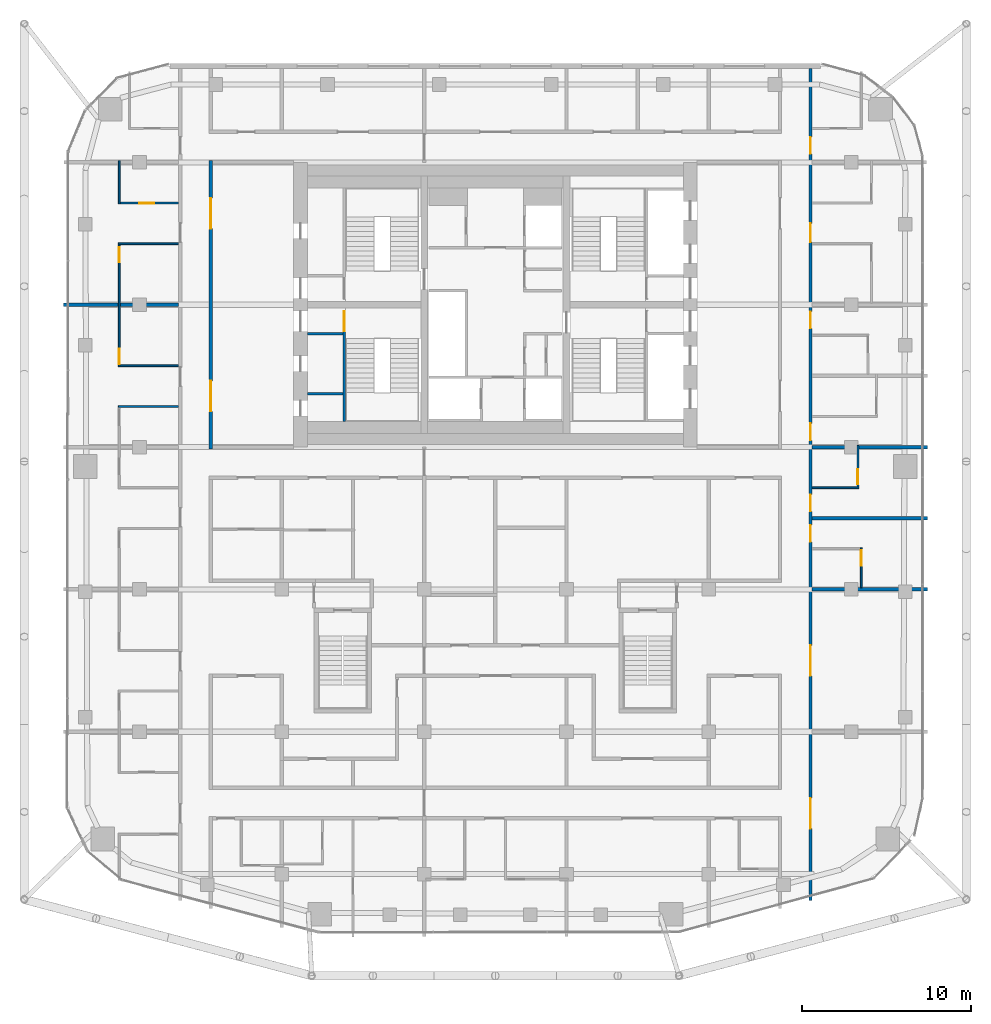
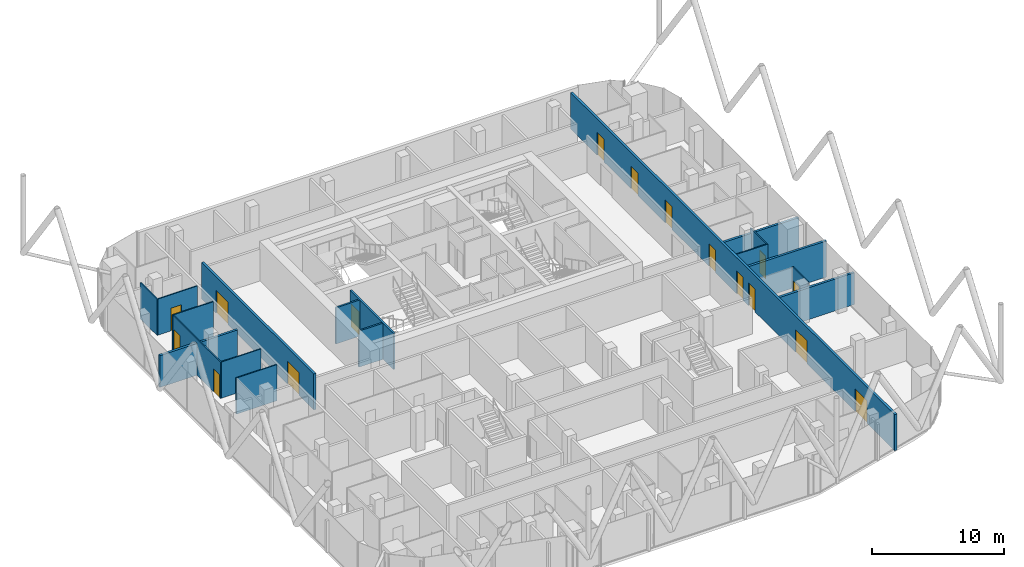
# One storey, part 23 of 28: 18 walls, 16 doors, 16 openings.
"""IFC4 building model written with IfcOpenShell, lengths in metres."""

from ifc_helpers import new_model, si_unit, direction, frame, frame_2d, origin, place, context, subcontext, project, spatial, rectangle, extrude, material, layer, layer_set, type_object, element, fill, save


model = new_model("IFC4")

# Units and contexts
model_context = context("Model", 3, precision=1e-05, world=origin(), true_north=direction((0.0, 1.0)))
body_context = subcontext(model_context, "Body", "Model", "MODEL_VIEW")
ifc_project = project(units=[si_unit("LENGTHUNIT", "METRE"), si_unit("AREAUNIT", "SQUARE_METRE"), si_unit("VOLUMEUNIT", "CUBIC_METRE"), si_unit("PLANEANGLEUNIT", "RADIAN"), si_unit("MASSUNIT", "GRAM", prefix="KILO")], contexts=[model_context])

# Site, building, storey
site_placement = place(None, origin())
site = spatial("IfcSite", under=ifc_project, at=site_placement, CompositionType="ELEMENT")
building_placement = place(site_placement, origin())
building = spatial("IfcBuilding", under=site, at=building_placement, Name="Marenta Gate Hotel Tower", CompositionType="ELEMENT")
storey_placement = place(building_placement, frame((0.0, 0.0, 241.699951171875)))
storey = spatial("IfcBuildingStorey", under=building, at=storey_placement, Name="L57", CompositionType="ELEMENT", Elevation=241.699951171875)

# Wall, openings, doors
ifc_material_1 = material(Name="Concrete blockwork", Category="masonry")
ifc_layer_1 = layer(ifc_material_1, 0.199951171875)
ifc_layer_set_1 = layer_set([ifc_layer_1], Name="Concrete blockwork")
wall_type_1 = type_object("IfcWallType", Name="Core boundary wall 200 REI 180", PredefinedType="PARTITIONING", material=ifc_layer_set_1)
wall_1_placement = place(storey_placement, frame((-16.800048828125, -0.10009765625, 0.0), z_axis=(0.0, 0.0, 1.0), x_axis=(0.0, 1.0, 0.0)))
wall_1 = element("IfcWall", 1, at=wall_1_placement, inside=storey, type_object=wall_type_1, Name="L57-CP-BW-W", PredefinedType="PARTITIONING", context=body_context, shape_type="SweptSolid", body=[
    extrude(rectangle(XDim=17.0, YDim=0.199951171875, at=frame_2d((8.5, 0.0))), origin(), (0.0, 0.0, 1.0), 3.340087890625),
])
opening_1_placement = place(wall_1_placement, frame((2.199951171875, 0.0, 0.0)))
opening_1 = element("IfcOpeningElement", 2, at=opening_1_placement, cuts=wall_1, Name="Opening ED-Wa-B", PredefinedType="OPENING", context=body_context, shape_type="SweptSolid", body=[
    extrude(rectangle(XDim=1.800048828125, YDim=2.10009765625, at=frame_2d((0.89990234375, 1.050048828125))), frame((0.0, 0.10009765625, 0.0), z_axis=(0.0, -1.0, 0.0), x_axis=(1.0, 0.0, 0.0)), (0.0, 0.0, 1.0), 0.199951171875),
])
opening_2_placement = place(wall_1_placement, frame((13.0, 0.0, 0.0)))
opening_2 = element("IfcOpeningElement", 3, at=opening_2_placement, cuts=wall_1, Name="Opening ED-Wb-B", PredefinedType="OPENING", context=body_context, shape_type="SweptSolid", body=[
    extrude(rectangle(XDim=1.800048828125, YDim=2.10009765625, at=frame_2d((0.89990234375, 1.050048828125))), frame((0.0, 0.10009765625, 0.0), z_axis=(0.0, -1.0, 0.0), x_axis=(1.0, 0.0, 0.0)), (0.0, 0.0, 1.0), 0.199951171875),
])
ifc_material_2 = material(Name="Steel", Category="steel")
door_type_1 = type_object("IfcDoorType", Name="Core lobby entrance door 1800x2100 EI 60", OperationType="DOUBLE_DOOR_SINGLE_SWING", PredefinedType="DOOR", material=ifc_material_2)
door_1_placement = place(opening_1_placement, origin())
door_1 = element("IfcDoor", 4, at=door_1_placement, inside=storey, type_object=door_type_1, Name="ED-Wa-B", OperationType="DOUBLE_DOOR_SINGLE_SWING", OverallHeight=2.10009765625, OverallWidth=1.800048828125, PredefinedType="DOOR", context=body_context, shape_type="SweptSolid", body=[
    extrude(rectangle(XDim=1.800048828125, YDim=2.10009765625, at=frame_2d((0.89990234375, 1.050048828125))), frame((0.0, 0.02490234375, 0.0), z_axis=(0.0, -1.0, 0.0), x_axis=(1.0, 0.0, 0.0)), (0.0, 0.0, 1.0), 0.050048828125),
])
fill(opening_1, door_1)
door_2_placement = place(opening_2_placement, origin())
door_2 = element("IfcDoor", 5, at=door_2_placement, inside=storey, type_object=door_type_1, Name="ED-Wb-B", OperationType="DOUBLE_DOOR_SINGLE_SWING", OverallHeight=2.10009765625, OverallWidth=1.800048828125, PredefinedType="DOOR", context=body_context, shape_type="SweptSolid", body=[
    extrude(rectangle(XDim=1.800048828125, YDim=2.10009765625, at=frame_2d((0.89990234375, 1.050048828125))), frame((0.0, 0.02490234375, 0.0), z_axis=(0.0, -1.0, 0.0), x_axis=(1.0, 0.0, 0.0)), (0.0, 0.0, 1.0), 0.050048828125),
])
fill(opening_2, door_2)

# Walls
ifc_material_3 = material(Name="Concrete blockwork", Category="masonry")
ifc_layer_2 = layer(ifc_material_3, 0.14990234375)
ifc_layer_set_2 = layer_set([ifc_layer_2], Name="Concrete blockwork")
wall_type_2 = type_object("IfcWallType", Name="Core room partition 150 REI 180", PredefinedType="PARTITIONING", material=ifc_layer_set_2)
for number, where, z_axis, x_axis, name in (
    (6, (-11.10009765625, 6.675048828125, 0.0), (0.0, 0.0, 1.0), (1.0, 0.0, 0.0), "L57-CP-SW-WS-2"),
    (7, (-11.10009765625, 3.14990234375, 0.0), (0.0, 0.0, 1.0), (1.0, 0.0, 0.0), "L57-CP-RW-WS-1"),
):
    element("IfcWall", number, at=place(storey_placement, frame(where, z_axis=z_axis, x_axis=x_axis)), inside=storey, type_object=wall_type_2, Name=name, PredefinedType="PARTITIONING", context=body_context, shape_type="SweptSolid", body=[
        extrude(rectangle(XDim=2.10009765625, YDim=0.14990234375, at=frame_2d((1.050048828125, 0.0))), origin(), (0.0, 0.0, 1.0), 3.340087890625),
    ])

# Wall, opening, door
ifc_material_4 = material(Name="Concrete C40", Category="concrete")
ifc_layer_3 = layer(ifc_material_4, 0.14990234375)
ifc_layer_set_3 = layer_set([ifc_layer_3], Name="Concrete C40")
wall_type_3 = type_object("IfcWallType", Name="Core stair enclosure wall 150 REI 180", PredefinedType="SHEAR", material=ifc_layer_set_3)
wall_2_placement = place(storey_placement, frame((-8.925048828125, 1.5, 0.0), z_axis=(0.0, 0.0, 1.0), x_axis=(0.0, 1.0, 0.0)))
wall_2 = element("IfcWall", 8, at=wall_2_placement, inside=storey, type_object=wall_type_3, Name="L57-SHF-SW-WS-3", PredefinedType="SHEAR", context=body_context, shape_type="SweptSolid", body=[
    extrude(rectangle(XDim=6.60009765625, YDim=0.14990234375, at=frame_2d((3.300048828125, 0.0))), origin(), (0.0, 0.0, 1.0), 3.340087890625),
])
opening_3_placement = place(wall_2_placement, frame((5.324951171875, 0.0, 0.0)))
opening_3 = element("IfcOpeningElement", 9, at=opening_3_placement, cuts=wall_2, Name="Opening SD-WS", PredefinedType="OPENING", context=body_context, shape_type="SweptSolid", body=[
    extrude(rectangle(XDim=1.199951171875, YDim=2.10009765625, at=frame_2d((0.60009765625, 1.050048828125))), frame((0.0, 0.074951171875, 0.0), z_axis=(0.0, -1.0, 0.0), x_axis=(1.0, 0.0, 0.0)), (0.0, 0.0, 1.0), 0.14990234375),
])
ifc_material_5 = material(Name="Steel", Category="steel")
door_type_2 = type_object("IfcDoorType", Name="Core stair door 1200x2100 FD60", OperationType="SINGLE_SWING_LEFT", PredefinedType="DOOR", material=ifc_material_5)
door_3_placement = place(opening_3_placement, origin())
door_3 = element("IfcDoor", 10, at=door_3_placement, inside=storey, type_object=door_type_2, Name="SD-WS", OperationType="SINGLE_SWING_LEFT", OverallHeight=2.10009765625, OverallWidth=1.199951171875, PredefinedType="DOOR", context=body_context, shape_type="SweptSolid", body=[
    extrude(rectangle(XDim=1.199951171875, YDim=2.10009765625, at=frame_2d((0.60009765625, 1.050048828125))), frame((0.0, 0.02490234375, 0.0), z_axis=(0.0, -1.0, 0.0), x_axis=(1.0, 0.0, 0.0)), (0.0, 0.0, 1.0), 0.050048828125),
])
fill(opening_3, door_3)

# Wall, openings, doors
ifc_material_6 = material(Name="Gypsum board on steel stud", Category="steel")
ifc_layer_4 = layer(ifc_material_6, 0.199951171875)
ifc_layer_set_4 = layer_set([ifc_layer_4], Name="Gypsum board on steel stud")
wall_type_4 = type_object("IfcWallType", Name="Room corridor wall 200 EI 60", PredefinedType="PARTITIONING", material=ifc_layer_set_4)
wall_3_placement = place(storey_placement, frame((18.60009765625, -26.7509765625, 0.0), z_axis=(0.0, 0.0, 1.0), x_axis=(0.0, 1.0, 0.0)))
wall_3 = element("IfcWall", 11, at=wall_3_placement, inside=storey, type_object=wall_type_4, Name="L57-PTN-W017", PredefinedType="PARTITIONING", context=body_context, shape_type="SweptSolid", body=[
    extrude(rectangle(XDim=49.091064453125, YDim=0.199951171875, at=frame_2d((24.54541015625, 0.0))), origin(), (0.0, 0.0, 1.0), 3.340087890625),
])
opening_4_placement = place(wall_3_placement, frame((4.22607421875, 0.0, 0.0)))
opening_4 = element("IfcOpeningElement", 12, at=opening_4_placement, cuts=wall_3, Name="Opening G21-14", PredefinedType="OPENING", context=body_context, shape_type="SweptSolid", body=[
    extrude(rectangle(XDim=1.800048828125, YDim=2.10009765625, at=frame_2d((0.89990234375, 1.050048828125))), frame((0.0, 0.10009765625, 0.0), z_axis=(0.0, -1.0, 0.0), x_axis=(1.0, 0.0, 0.0)), (0.0, 0.0, 1.0), 0.199951171875),
])
opening_5_placement = place(wall_3_placement, frame((13.2509765625, 0.0, 0.0)))
opening_5 = element("IfcOpeningElement", 13, at=opening_5_placement, cuts=wall_3, Name="Opening G21-15", PredefinedType="OPENING", context=body_context, shape_type="SweptSolid", body=[
    extrude(rectangle(XDim=1.800048828125, YDim=2.10009765625, at=frame_2d((0.89990234375, 1.050048828125))), frame((0.0, 0.10009765625, 0.0), z_axis=(0.0, -1.0, 0.0), x_axis=(1.0, 0.0, 0.0)), (0.0, 0.0, 1.0), 0.199951171875),
])
opening_6_placement = place(wall_3_placement, frame((21.15087890625, 0.0, 0.0)))
opening_6 = element("IfcOpeningElement", 14, at=opening_6_placement, cuts=wall_3, Name="Opening G21-16", PredefinedType="OPENING", context=body_context, shape_type="SweptSolid", body=[
    extrude(rectangle(XDim=1.0, YDim=2.10009765625, at=frame_2d((0.5, 1.050048828125))), frame((0.0, 0.10009765625, 0.0), z_axis=(0.0, -1.0, 0.0), x_axis=(1.0, 0.0, 0.0)), (0.0, 0.0, 1.0), 0.199951171875),
])
opening_7_placement = place(wall_3_placement, frame((22.950927734375, 0.0, 0.0)))
opening_7 = element("IfcOpeningElement", 15, at=opening_7_placement, cuts=wall_3, Name="Opening G21-18", PredefinedType="OPENING", context=body_context, shape_type="SweptSolid", body=[
    extrude(rectangle(XDim=1.0, YDim=2.10009765625, at=frame_2d((0.5, 1.050048828125))), frame((0.0, 0.10009765625, 0.0), z_axis=(0.0, -1.0, 0.0), x_axis=(1.0, 0.0, 0.0)), (0.0, 0.0, 1.0), 0.199951171875),
])
opening_8_placement = place(wall_3_placement, frame((27.15087890625, 0.0, 0.0)))
opening_8 = element("IfcOpeningElement", 16, at=opening_8_placement, cuts=wall_3, Name="Opening G21-20", PredefinedType="OPENING", context=body_context, shape_type="SweptSolid", body=[
    extrude(rectangle(XDim=1.0, YDim=2.10009765625, at=frame_2d((0.5, 1.050048828125))), frame((0.0, 0.10009765625, 0.0), z_axis=(0.0, -1.0, 0.0), x_axis=(1.0, 0.0, 0.0)), (0.0, 0.0, 1.0), 0.199951171875),
])
opening_9_placement = place(wall_3_placement, frame((33.7509765625, 0.0, 0.0)))
opening_9 = element("IfcOpeningElement", 17, at=opening_9_placement, cuts=wall_3, Name="Opening G21-22", PredefinedType="OPENING", context=body_context, shape_type="SweptSolid", body=[
    extrude(rectangle(XDim=1.0, YDim=2.10009765625, at=frame_2d((0.5, 1.050048828125))), frame((0.0, 0.10009765625, 0.0), z_axis=(0.0, -1.0, 0.0), x_axis=(1.0, 0.0, 0.0)), (0.0, 0.0, 1.0), 0.199951171875),
])
opening_10_placement = place(wall_3_placement, frame((38.85107421875, 0.0, 0.0)))
opening_10 = element("IfcOpeningElement", 18, at=opening_10_placement, cuts=wall_3, Name="Opening G21-24", PredefinedType="OPENING", context=body_context, shape_type="SweptSolid", body=[
    extrude(rectangle(XDim=1.10009765625, YDim=2.10009765625, at=frame_2d((0.550048828125, 1.050048828125))), frame((0.0, 0.10009765625, 0.0), z_axis=(0.0, -1.0, 0.0), x_axis=(1.0, 0.0, 0.0)), (0.0, 0.0, 1.0), 0.199951171875),
])
opening_11_placement = place(wall_3_placement, frame((44.051025390625, 0.0, 0.0)))
opening_11 = element("IfcOpeningElement", 19, at=opening_11_placement, cuts=wall_3, Name="Opening G21-27", PredefinedType="OPENING", context=body_context, shape_type="SweptSolid", body=[
    extrude(rectangle(XDim=1.0, YDim=2.10009765625, at=frame_2d((0.5, 1.050048828125))), frame((0.0, 0.10009765625, 0.0), z_axis=(0.0, -1.0, 0.0), x_axis=(1.0, 0.0, 0.0)), (0.0, 0.0, 1.0), 0.199951171875),
])
ifc_material_7 = material(Name="Timber door leaf", Category="wood")
door_type_3 = type_object("IfcDoorType", Name="Guest room door 1000x2100 EI 30", OperationType="NOTDEFINED", PredefinedType="DOOR", material=ifc_material_7)
door_4_placement = place(opening_6_placement, origin())
door_4 = element("IfcDoor", 20, at=door_4_placement, inside=storey, type_object=door_type_3, Name="L57-PD-D016", OperationType="SINGLE_SWING_RIGHT", OverallHeight=2.10009765625, OverallWidth=1.0, PredefinedType="DOOR", context=body_context, shape_type="SweptSolid", body=[
    extrude(rectangle(XDim=1.0, YDim=2.10009765625, at=frame_2d((0.5, 1.050048828125))), frame((0.0, 0.02490234375, 0.0), z_axis=(0.0, -1.0, 0.0), x_axis=(1.0, 0.0, 0.0)), (0.0, 0.0, 1.0), 0.050048828125),
])
fill(opening_6, door_4)
door_5_placement = place(opening_7_placement, origin())
door_5 = element("IfcDoor", 21, at=door_5_placement, inside=storey, type_object=door_type_3, Name="L57-PD-D018", OperationType="SINGLE_SWING_RIGHT", OverallHeight=2.10009765625, OverallWidth=1.0, PredefinedType="DOOR", context=body_context, shape_type="SweptSolid", body=[
    extrude(rectangle(XDim=1.0, YDim=2.10009765625, at=frame_2d((0.5, 1.050048828125))), frame((0.0, 0.02490234375, 0.0), z_axis=(0.0, -1.0, 0.0), x_axis=(1.0, 0.0, 0.0)), (0.0, 0.0, 1.0), 0.050048828125),
])
fill(opening_7, door_5)
door_6_placement = place(opening_8_placement, origin())
door_6 = element("IfcDoor", 22, at=door_6_placement, inside=storey, type_object=door_type_3, Name="L57-PD-D020", OperationType="SINGLE_SWING_RIGHT", OverallHeight=2.10009765625, OverallWidth=1.0, PredefinedType="DOOR", context=body_context, shape_type="SweptSolid", body=[
    extrude(rectangle(XDim=1.0, YDim=2.10009765625, at=frame_2d((0.5, 1.050048828125))), frame((0.0, 0.02490234375, 0.0), z_axis=(0.0, -1.0, 0.0), x_axis=(1.0, 0.0, 0.0)), (0.0, 0.0, 1.0), 0.050048828125),
])
fill(opening_8, door_6)
door_7_placement = place(opening_9_placement, origin())
door_7 = element("IfcDoor", 23, at=door_7_placement, inside=storey, type_object=door_type_3, Name="L57-PD-D022", OperationType="SINGLE_SWING_RIGHT", OverallHeight=2.10009765625, OverallWidth=1.0, PredefinedType="DOOR", context=body_context, shape_type="SweptSolid", body=[
    extrude(rectangle(XDim=1.0, YDim=2.10009765625, at=frame_2d((0.5, 1.050048828125))), frame((0.0, 0.02490234375, 0.0), z_axis=(0.0, -1.0, 0.0), x_axis=(1.0, 0.0, 0.0)), (0.0, 0.0, 1.0), 0.050048828125),
])
fill(opening_9, door_7)
door_8_placement = place(opening_11_placement, origin())
door_8 = element("IfcDoor", 24, at=door_8_placement, inside=storey, type_object=door_type_3, Name="L57-PD-D027", OperationType="SINGLE_SWING_LEFT", OverallHeight=2.10009765625, OverallWidth=1.0, PredefinedType="DOOR", context=body_context, shape_type="SweptSolid", body=[
    extrude(rectangle(XDim=1.0, YDim=2.10009765625, at=frame_2d((0.5, 1.050048828125))), frame((0.0, 0.02490234375, 0.0), z_axis=(0.0, -1.0, 0.0), x_axis=(1.0, 0.0, 0.0)), (0.0, 0.0, 1.0), 0.050048828125),
])
fill(opening_11, door_8)
ifc_material_8 = material(Name="Timber door leaf", Category="wood")
door_type_4 = type_object("IfcDoorType", Name="Guest room door 1100x2100 EI 30", OperationType="NOTDEFINED", PredefinedType="DOOR", material=ifc_material_8)
door_9_placement = place(opening_10_placement, origin())
door_9 = element("IfcDoor", 25, at=door_9_placement, inside=storey, type_object=door_type_4, Name="L57-PD-D024", OperationType="SINGLE_SWING_RIGHT", OverallHeight=2.10009765625, OverallWidth=1.10009765625, PredefinedType="DOOR", context=body_context, shape_type="SweptSolid", body=[
    extrude(rectangle(XDim=1.10009765625, YDim=2.10009765625, at=frame_2d((0.550048828125, 1.050048828125))), frame((0.0, 0.02490234375, 0.0), z_axis=(0.0, -1.0, 0.0), x_axis=(1.0, 0.0, 0.0)), (0.0, 0.0, 1.0), 0.050048828125),
])
fill(opening_10, door_9)
ifc_material_9 = material(Name="Timber door leaf", Category="wood")
door_type_5 = type_object("IfcDoorType", Name="Room amenity door 1800x2100 EI 30", OperationType="DOUBLE_DOOR_SINGLE_SWING", PredefinedType="DOOR", material=ifc_material_9)
door_10_placement = place(opening_4_placement, origin())
door_10 = element("IfcDoor", 26, at=door_10_placement, inside=storey, type_object=door_type_5, Name="L57-PD-D014", OperationType="DOUBLE_DOOR_SINGLE_SWING", OverallHeight=2.10009765625, OverallWidth=1.800048828125, PredefinedType="DOOR", context=body_context, shape_type="SweptSolid", body=[
    extrude(rectangle(XDim=1.800048828125, YDim=2.10009765625, at=frame_2d((0.89990234375, 1.050048828125))), frame((0.0, 0.02490234375, 0.0), z_axis=(0.0, -1.0, 0.0), x_axis=(1.0, 0.0, 0.0)), (0.0, 0.0, 1.0), 0.050048828125),
])
fill(opening_4, door_10)
door_11_placement = place(opening_5_placement, origin())
door_11 = element("IfcDoor", 27, at=door_11_placement, inside=storey, type_object=door_type_5, Name="L57-PD-D015", OperationType="DOUBLE_DOOR_SINGLE_SWING", OverallHeight=2.10009765625, OverallWidth=1.800048828125, PredefinedType="DOOR", context=body_context, shape_type="SweptSolid", body=[
    extrude(rectangle(XDim=1.800048828125, YDim=2.10009765625, at=frame_2d((0.89990234375, 1.050048828125))), frame((0.0, 0.02490234375, 0.0), z_axis=(0.0, -1.0, 0.0), x_axis=(1.0, 0.0, 0.0)), (0.0, 0.0, 1.0), 0.050048828125),
])
fill(opening_5, door_11)

# Wall, opening, door
ifc_material_10 = material(Name="Gypsum board on steel stud", Category="steel")
ifc_layer_5 = layer(ifc_material_10, 0.10009765625)
ifc_layer_set_5 = layer_set([ifc_layer_5], Name="Gypsum board on steel stud")
wall_type_5 = type_object("IfcWallType", Name="Room partition 100", PredefinedType="PARTITIONING", material=ifc_layer_set_5)
wall_4_placement = place(storey_placement, frame((21.60009765625, -8.300048828125, 0.0), z_axis=(0.0, 0.0, 1.0), x_axis=(0.0, 1.0, 0.0)))
wall_4 = element("IfcWall", 28, at=wall_4_placement, inside=storey, type_object=wall_type_5, Name="L57-PTN-W012", PredefinedType="PARTITIONING", context=body_context, shape_type="SweptSolid", body=[
    extrude(rectangle(XDim=2.35009765625, YDim=0.10009765625, at=frame_2d((1.175048828125, 0.0))), origin(), (0.0, 0.0, 1.0), 3.340087890625),
])
opening_12_placement = place(wall_4_placement, frame((1.300048828125, 0.0, 0.0)))
opening_12 = element("IfcOpeningElement", 29, at=opening_12_placement, cuts=wall_4, Name="Opening G21-17", PredefinedType="OPENING", context=body_context, shape_type="SweptSolid", body=[
    extrude(rectangle(XDim=0.89990234375, YDim=2.10009765625, at=frame_2d((0.449951171875, 1.050048828125))), frame((0.0, 0.050048828125, 0.0), z_axis=(0.0, -1.0, 0.0), x_axis=(1.0, 0.0, 0.0)), (0.0, 0.0, 1.0), 0.10009765625),
])
ifc_material_11 = material(Name="Timber door leaf", Category="wood")
door_type_6 = type_object("IfcDoorType", Name="Guest bathroom door 900x2100", OperationType="NOTDEFINED", PredefinedType="DOOR", material=ifc_material_11)
door_12_placement = place(opening_12_placement, origin())
door_12 = element("IfcDoor", 30, at=door_12_placement, inside=storey, type_object=door_type_6, Name="L57-PD-D017", OperationType="SINGLE_SWING_RIGHT", OverallHeight=2.10009765625, OverallWidth=0.89990234375, PredefinedType="DOOR", context=body_context, shape_type="SweptSolid", body=[
    extrude(rectangle(XDim=0.89990234375, YDim=2.10009765625, at=frame_2d((0.449951171875, 1.050048828125))), frame((0.0, 0.02490234375, 0.0), z_axis=(0.0, -1.0, 0.0), x_axis=(1.0, 0.0, 0.0)), (0.0, 0.0, 1.0), 0.050048828125),
])
fill(opening_12, door_12)

wall_5_placement = place(storey_placement, frame((21.39990234375, -2.35009765625, 0.0), z_axis=(0.0, 0.0, 1.0), x_axis=(0.0, 1.0, 0.0)))
wall_5 = element("IfcWall", 31, at=wall_5_placement, inside=storey, type_object=wall_type_5, Name="L57-PTN-W014", PredefinedType="PARTITIONING", context=body_context, shape_type="SweptSolid", body=[
    extrude(rectangle(XDim=2.4501953125, YDim=0.10009765625, at=frame_2d((1.22509765625, 0.0))), origin(), (0.0, 0.0, 1.0), 3.340087890625),
])
opening_13_placement = place(wall_5_placement, frame((0.14990234375, 0.0, 0.0)))
opening_13 = element("IfcOpeningElement", 32, at=opening_13_placement, cuts=wall_5, Name="Opening G21-19", PredefinedType="OPENING", context=body_context, shape_type="SweptSolid", body=[
    extrude(rectangle(XDim=0.89990234375, YDim=2.10009765625, at=frame_2d((0.449951171875, 1.050048828125))), frame((0.0, 0.050048828125, 0.0), z_axis=(0.0, -1.0, 0.0), x_axis=(1.0, 0.0, 0.0)), (0.0, 0.0, 1.0), 0.10009765625),
])
door_13_placement = place(opening_13_placement, origin())
door_13 = element("IfcDoor", 33, at=door_13_placement, inside=storey, type_object=door_type_6, Name="L57-PD-D019", OperationType="SINGLE_SWING_LEFT", OverallHeight=2.10009765625, OverallWidth=0.89990234375, PredefinedType="DOOR", context=body_context, shape_type="SweptSolid", body=[
    extrude(rectangle(XDim=0.89990234375, YDim=2.10009765625, at=frame_2d((0.449951171875, 1.050048828125))), frame((0.0, 0.02490234375, 0.0), z_axis=(0.0, -1.0, 0.0), x_axis=(1.0, 0.0, 0.0)), (0.0, 0.0, 1.0), 0.050048828125),
])
fill(opening_13, door_13)

# Walls
wall_6_placement = place(storey_placement, frame((18.699951171875, -2.39990234375, 0.0), z_axis=(0.0, 0.0, 1.0), x_axis=(1.0, 0.0, 0.0)))
element("IfcWall", 34, at=wall_6_placement, inside=storey, type_object=wall_type_5, Name="L57-PTN-W060", PredefinedType="PARTITIONING", context=body_context, shape_type="SweptSolid", body=[
    extrude(rectangle(XDim=2.75, YDim=0.10009765625, at=frame_2d((1.375, 0.0))), origin(), (0.0, 0.0, 1.0), 3.340087890625),
])
wall_7_placement = place(storey_placement, frame((-22.25, 2.39990234375, 0.0), z_axis=(0.0, 0.0, 1.0), x_axis=(1.0, 0.0, 0.0)))
element("IfcWall", 35, at=wall_7_placement, inside=storey, type_object=wall_type_5, Name="L57-PTN-W068", PredefinedType="PARTITIONING", context=body_context, shape_type="SweptSolid", body=[
    extrude(rectangle(XDim=3.550048828125, YDim=0.10009765625, at=frame_2d((1.77490234375, 0.0))), origin(), (0.0, 0.0, 1.0), 3.340087890625),
])
wall_8_placement = place(storey_placement, frame((-22.14990234375, 4.800048828125, 0.0), z_axis=(0.0, 0.0, 1.0), x_axis=(1.0, 0.0, 0.0)))
element("IfcWall", 36, at=wall_8_placement, inside=storey, type_object=wall_type_5, Name="L57-PTN-W074", PredefinedType="PARTITIONING", context=body_context, shape_type="SweptSolid", body=[
    extrude(rectangle(XDim=3.449951171875, YDim=0.10009765625, at=frame_2d((1.72509765625, 0.0))), origin(), (0.0, 0.0, 1.0), 3.340087890625),
])
wall_9_placement = place(storey_placement, frame((-22.25, 12.0, 0.0), z_axis=(0.0, 0.0, 1.0), x_axis=(1.0, 0.0, 0.0)))
element("IfcWall", 37, at=wall_9_placement, inside=storey, type_object=wall_type_5, Name="L57-PTN-W085", PredefinedType="PARTITIONING", context=body_context, shape_type="SweptSolid", body=[
    extrude(rectangle(XDim=3.550048828125, YDim=0.10009765625, at=frame_2d((1.77490234375, 0.0))), origin(), (0.0, 0.0, 1.0), 3.340087890625),
])

# Wall, opening, door
wall_10_placement = place(storey_placement, frame((-22.14990234375, 14.39990234375, 0.0), z_axis=(0.0, 0.0, 1.0), x_axis=(1.0, 0.0, 0.0)))
wall_10 = element("IfcWall", 38, at=wall_10_placement, inside=storey, type_object=wall_type_5, Name="L57-PTN-W092", PredefinedType="PARTITIONING", context=body_context, shape_type="SweptSolid", body=[
    extrude(rectangle(XDim=3.449951171875, YDim=0.10009765625, at=frame_2d((1.72509765625, 0.0))), origin(), (0.0, 0.0, 1.0), 3.340087890625),
])
opening_14_placement = place(wall_10_placement, frame((1.1201171875, 0.0, 0.0)))
opening_14 = element("IfcOpeningElement", 39, at=opening_14_placement, cuts=wall_10, Name="Opening G21-58", PredefinedType="OPENING", context=body_context, shape_type="SweptSolid", body=[
    extrude(rectangle(XDim=0.89990234375, YDim=2.10009765625, at=frame_2d((0.449951171875, 1.050048828125))), frame((0.0, 0.050048828125, 0.0), z_axis=(0.0, -1.0, 0.0), x_axis=(1.0, 0.0, 0.0)), (0.0, 0.0, 1.0), 0.10009765625),
])
ifc_material_12 = material(Name="Timber door leaf", Category="wood")
door_type_7 = type_object("IfcDoorType", Name="Room inner door 900x2100", OperationType="NOTDEFINED", PredefinedType="DOOR", material=ifc_material_12)
door_14_placement = place(opening_14_placement, origin())
door_14 = element("IfcDoor", 40, at=door_14_placement, inside=storey, type_object=door_type_7, Name="L57-PD-D058", OperationType="SINGLE_SWING_LEFT", OverallHeight=2.10009765625, OverallWidth=0.89990234375, PredefinedType="DOOR", context=body_context, shape_type="SweptSolid", body=[
    extrude(rectangle(XDim=0.89990234375, YDim=2.10009765625, at=frame_2d((0.449951171875, 1.050048828125))), frame((0.0, 0.02490234375, 0.0), z_axis=(0.0, -1.0, 0.0), x_axis=(1.0, 0.0, 0.0)), (0.0, 0.0, 1.0), 0.050048828125),
])
fill(opening_14, door_14)

# Wall, openings, doors
wall_11_placement = place(storey_placement, frame((-22.199951171875, 4.75, 0.0), z_axis=(0.0, 0.0, 1.0), x_axis=(0.0, 1.0, 0.0)))
wall_11 = element("IfcWall", 41, at=wall_11_placement, inside=storey, type_object=wall_type_5, Name="L57-PTN-W110", PredefinedType="PARTITIONING", context=body_context, shape_type="SweptSolid", body=[
    extrude(rectangle(XDim=7.199951171875, YDim=0.10009765625, at=frame_2d((3.60009765625, 0.0))), origin(), (0.0, 0.0, 1.0), 3.340087890625),
])
opening_15_placement = place(wall_11_placement, frame((0.14990234375, 0.0, 0.0)))
opening_15 = element("IfcOpeningElement", 42, at=opening_15_placement, cuts=wall_11, Name="Opening G21-54", PredefinedType="OPENING", context=body_context, shape_type="SweptSolid", body=[
    extrude(rectangle(XDim=0.89990234375, YDim=2.10009765625, at=frame_2d((0.449951171875, 1.050048828125))), frame((0.0, 0.050048828125, 0.0), z_axis=(0.0, -1.0, 0.0), x_axis=(1.0, 0.0, 0.0)), (0.0, 0.0, 1.0), 0.10009765625),
])
opening_16_placement = place(wall_11_placement, frame((6.14990234375, 0.0, 0.0)))
opening_16 = element("IfcOpeningElement", 43, at=opening_16_placement, cuts=wall_11, Name="Opening G21-57", PredefinedType="OPENING", context=body_context, shape_type="SweptSolid", body=[
    extrude(rectangle(XDim=0.89990234375, YDim=2.10009765625, at=frame_2d((0.449951171875, 1.050048828125))), frame((0.0, 0.050048828125, 0.0), z_axis=(0.0, -1.0, 0.0), x_axis=(1.0, 0.0, 0.0)), (0.0, 0.0, 1.0), 0.10009765625),
])
door_15_placement = place(opening_15_placement, origin())
door_15 = element("IfcDoor", 44, at=door_15_placement, inside=storey, type_object=door_type_6, Name="L57-PD-D054", OperationType="SINGLE_SWING_RIGHT", OverallHeight=2.10009765625, OverallWidth=0.89990234375, PredefinedType="DOOR", context=body_context, shape_type="SweptSolid", body=[
    extrude(rectangle(XDim=0.89990234375, YDim=2.10009765625, at=frame_2d((0.449951171875, 1.050048828125))), frame((0.0, 0.02490234375, 0.0), z_axis=(0.0, -1.0, 0.0), x_axis=(1.0, 0.0, 0.0)), (0.0, 0.0, 1.0), 0.050048828125),
])
fill(opening_15, door_15)
door_16_placement = place(opening_16_placement, origin())
door_16 = element("IfcDoor", 45, at=door_16_placement, inside=storey, type_object=door_type_6, Name="L57-PD-D057", OperationType="SINGLE_SWING_LEFT", OverallHeight=2.10009765625, OverallWidth=0.89990234375, PredefinedType="DOOR", context=body_context, shape_type="SweptSolid", body=[
    extrude(rectangle(XDim=0.89990234375, YDim=2.10009765625, at=frame_2d((0.449951171875, 1.050048828125))), frame((0.0, 0.02490234375, 0.0), z_axis=(0.0, -1.0, 0.0), x_axis=(1.0, 0.0, 0.0)), (0.0, 0.0, 1.0), 0.050048828125),
])
fill(opening_16, door_16)

# Walls
wall_12_placement = place(storey_placement, frame((-22.199951171875, 14.35009765625, 0.0), z_axis=(0.0, 0.0, 1.0), x_axis=(0.0, 1.0, 0.0)))
element("IfcWall", 46, at=wall_12_placement, inside=storey, type_object=wall_type_5, Name="L57-PTN-W111", PredefinedType="PARTITIONING", context=body_context, shape_type="SweptSolid", body=[
    extrude(rectangle(XDim=2.5498046875, YDim=0.10009765625, at=frame_2d((1.27490234375, 0.0))), origin(), (0.0, 0.0, 1.0), 3.340087890625),
])
ifc_material_13 = material(Name="Gypsum board on steel stud", Category="steel")
ifc_layer_6 = layer(ifc_material_13, 0.199951171875)
ifc_layer_set_6 = layer_set([ifc_layer_6], Name="Gypsum board on steel stud")
wall_type_6 = type_object("IfcWallType", Name="Room party wall 200 EI 60", PredefinedType="PARTITIONING", material=ifc_layer_set_6)
wall_13_placement = place(storey_placement, frame((18.699951171875, -8.39990234375, 0.0), z_axis=(0.0, 0.0, 1.0), x_axis=(1.0, 0.0, 0.0)))
element("IfcWall", 47, at=wall_13_placement, inside=storey, type_object=wall_type_6, Name="L57-PTN-W042", PredefinedType="PARTITIONING", context=body_context, shape_type="SweptSolid", body=[
    extrude(rectangle(XDim=6.800048828125, YDim=0.199951171875, at=frame_2d((3.39990234375, 0.0))), origin(), (0.0, 0.0, 1.0), 2.93994140625),
])
wall_14_placement = place(storey_placement, frame((18.699951171875, -4.199951171875, 0.0), z_axis=(0.0, 0.0, 1.0), x_axis=(1.0, 0.0, 0.0)))
element("IfcWall", 48, at=wall_14_placement, inside=storey, type_object=wall_type_6, Name="L57-PTN-W058", PredefinedType="PARTITIONING", context=body_context, shape_type="SweptSolid", body=[
    extrude(rectangle(XDim=6.800048828125, YDim=0.199951171875, at=frame_2d((3.39990234375, 0.0))), origin(), (0.0, 0.0, 1.0), 3.340087890625),
])
for number, where, z_axis, x_axis, name in (
    (49, (18.699951171875, 0.0, 0.0), (0.0, 0.0, 1.0), (1.0, 0.0, 0.0), "L57-PTN-W065"),
    (50, (-25.5, 8.39990234375, 0.0), (0.0, 0.0, 1.0), (1.0, 0.0, 0.0), "L57-PTN-W081"),
):
    element("IfcWall", number, at=place(storey_placement, frame(where, z_axis=z_axis, x_axis=x_axis)), inside=storey, type_object=wall_type_6, Name=name, PredefinedType="PARTITIONING", context=body_context, shape_type="SweptSolid", body=[
        extrude(rectangle(XDim=6.800048828125, YDim=0.199951171875, at=frame_2d((3.39990234375, 0.0))), origin(), (0.0, 0.0, 1.0), 2.93994140625),
    ])

save(model, "model.ifc")
